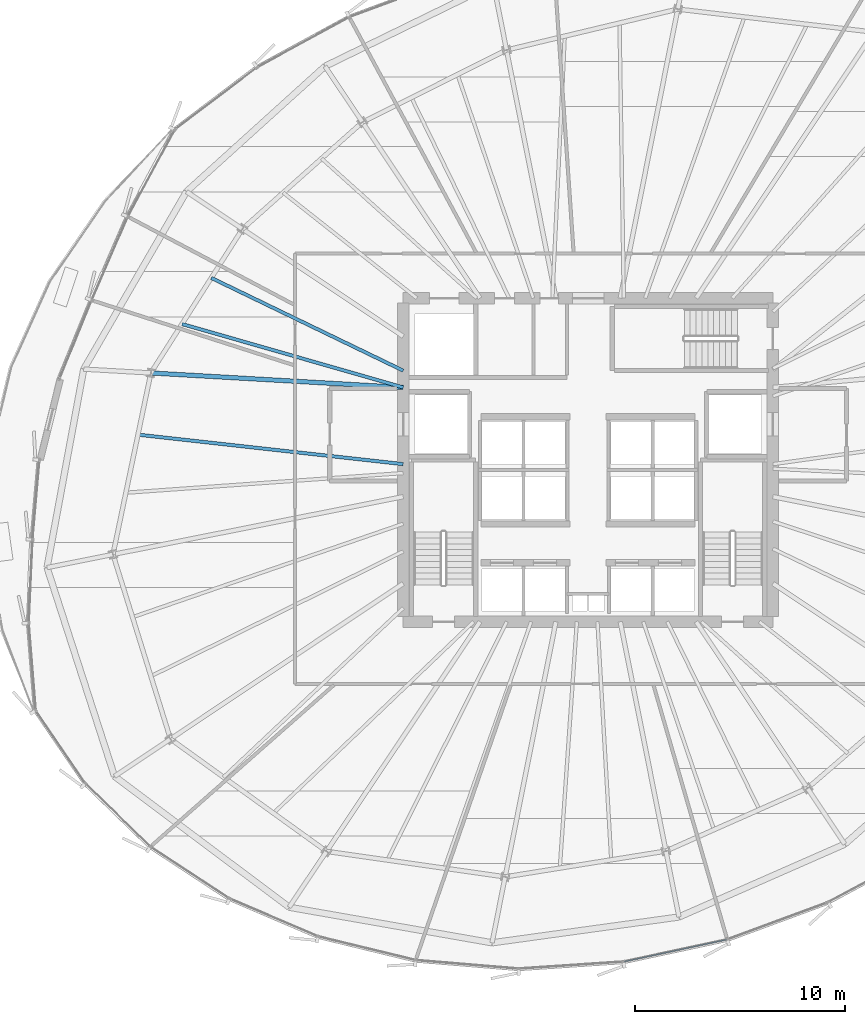
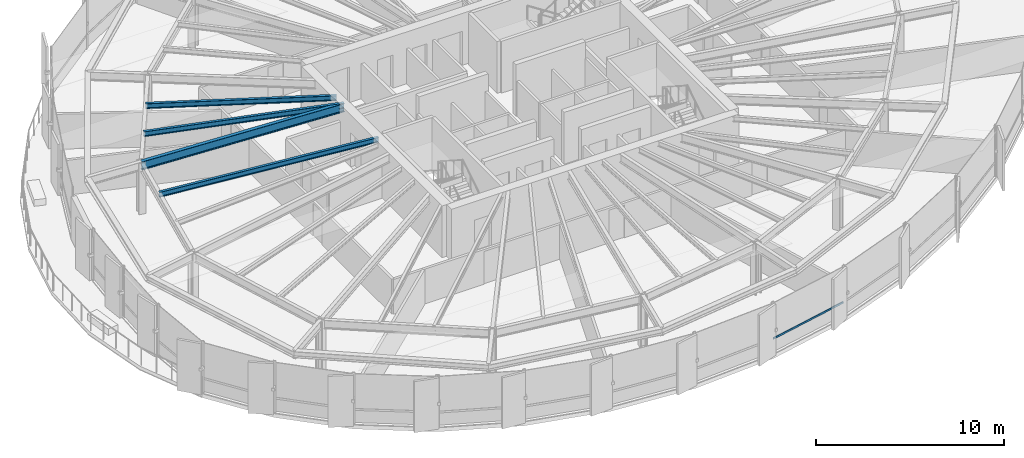
# One storey, part 10 of 35: 4 beams, 1 member, 1 element without a shape of its own.
"""IFC4 building model written with IfcOpenShell, lengths in metres."""

from ifc_helpers import new_model, si_unit, direction, frame, origin, origin_2d, place, context, subcontext, project, spatial, hollow_rectangle, i_section, extrude, source, transform, mapped, material, layer, layer_set, material_profile, profile_set, type_object, element, aggregate, save


model = new_model("IFC4")

# Units and contexts
model_context = context("Model", 3, precision=1e-05, world=origin(), true_north=direction((0.0, 1.0)))
body_context = subcontext(model_context, "Body", "Model", "MODEL_VIEW")
ifc_project = project(units=[si_unit("LENGTHUNIT", "METRE"), si_unit("AREAUNIT", "SQUARE_METRE"), si_unit("VOLUMEUNIT", "CUBIC_METRE"), si_unit("PLANEANGLEUNIT", "RADIAN"), si_unit("MASSUNIT", "GRAM", prefix="KILO"), si_unit("THERMODYNAMICTEMPERATUREUNIT", "KELVIN")], contexts=[model_context])

# Site, building, storey
site_placement = place(None, origin())
site = spatial("IfcSite", under=ifc_project, at=site_placement, CompositionType="ELEMENT")
building_placement = place(site_placement, origin())
building = spatial("IfcBuilding", under=site, at=building_placement, Name="Kethvar Cultural Tower", CompositionType="ELEMENT")
storey_placement = place(building_placement, frame((0.0, 0.0, 100.0)))
storey = spatial("IfcBuildingStorey", under=building, at=storey_placement, Name="L24", CompositionType="ELEMENT", Elevation=100.0)

# Beams
ifc_material_1 = material(Name="Steel S355J2", Category="steel")
ifc_material_profile_1 = material_profile(ifc_material_1, i_section(OverallWidth=0.2099609375, OverallDepth=0.550048828125, WebThickness=0.010986328125, FlangeThickness=0.01708984375, FilletRadius=0.02392578125, at=origin_2d()), Name="Steel S355J2 — IPE550")
ifc_profile_set_1 = profile_set([ifc_material_profile_1], Name="Steel S355J2 — IPE550")
beam_type_1 = type_object("IfcBeamType", Name="BM-IPE550", PredefinedType="BEAM", material=ifc_profile_set_1)
shared_shape_1 = source(origin(), body_context, "Body", "SweptSolid", [
    extrude(i_section(OverallWidth=0.2099609375, OverallDepth=0.550048828125, WebThickness=0.010986328125, FlangeThickness=0.01708984375, FilletRadius=0.02392578125, at=origin_2d()), origin(), (0.0, 0.0, 1.0), 12.03125),
])
beam_1_placement = place(storey_placement, frame((38.0, 31.25, 3.072998046875), z_axis=(-0.998355544741, 0.057325441856, 0.0), x_axis=(-0.057325441856, -0.998355544741, 0.0)))
element("IfcBeam", 1, at=beam_1_placement, inside=storey, type_object=beam_type_1, Name="L24 Primary Radial Beam RB-08", PredefinedType="BEAM", context=body_context, shape_type="MappedRepresentation", body=[
    mapped(shared_shape_1, transform((0.0, 0.0, 0.0), scale=1.0)),
])
ifc_material_profile_2 = material_profile(ifc_material_1, i_section(OverallWidth=0.159912109375, OverallDepth=0.330078125, WebThickness=0.007568359375, FlangeThickness=0.011474609375, FilletRadius=0.01806640625, at=origin_2d()), Name="Steel S355J2 — IPE330")
ifc_profile_set_2 = profile_set([ifc_material_profile_2], Name="Steel S355J2 — IPE330")
beam_type_2 = type_object("IfcBeamType", Name="BM-J330", PredefinedType="JOIST", material=ifc_profile_set_2)
shared_shape_2 = source(origin(), body_context, "Body", "SweptSolid", [
    extrude(i_section(OverallWidth=0.159912109375, OverallDepth=0.330078125, WebThickness=0.007568359375, FlangeThickness=0.011474609375, FilletRadius=0.01806640625, at=origin_2d()), origin(), (0.0, 0.0, 1.0), 10.1455078125),
])
beam_2_placement = place(storey_placement, frame((38.0, 32.05078125, 3.18310546875), z_axis=(-0.90045122575, 0.434956997927, 0.0), x_axis=(-0.434956997927, -0.90045122575, 0.0)))
element("IfcBeam", 2, at=beam_2_placement, inside=storey, type_object=beam_type_2, Name="L24 Composite Floor Joist J-07A", PredefinedType="JOIST", context=body_context, shape_type="MappedRepresentation", body=[
    mapped(shared_shape_2, transform((0.0, 0.0, 0.0), scale=1.0)),
])
shared_shape_3 = source(origin(), body_context, "Body", "SweptSolid", [
    extrude(i_section(OverallWidth=0.159912109375, OverallDepth=0.330078125, WebThickness=0.007568359375, FlangeThickness=0.011474609375, FilletRadius=0.01806640625, at=origin_2d()), origin(), (0.0, 0.0, 1.0), 10.95458984375),
])
beam_3_placement = place(storey_placement, frame((38.0, 31.25, 3.18310546875), z_axis=(-0.96124170623, 0.275707058676, 0.0), x_axis=(-0.275707058676, -0.96124170623, 0.0)))
element("IfcBeam", 3, at=beam_3_placement, inside=storey, type_object=beam_type_2, Name="L24 Composite Floor Joist J-07B", PredefinedType="JOIST", context=body_context, shape_type="MappedRepresentation", body=[
    mapped(shared_shape_3, transform((0.0, 0.0, 0.0), scale=1.0)),
])
shared_shape_4 = source(origin(), body_context, "Body", "SweptSolid", [
    extrude(i_section(OverallWidth=0.159912109375, OverallDepth=0.330078125, WebThickness=0.007568359375, FlangeThickness=0.011474609375, FilletRadius=0.01806640625, at=origin_2d()), origin(), (0.0, 0.0, 1.0), 12.7021484375),
])
beam_4_placement = place(storey_placement, frame((38.0, 27.60009765625, 3.18310546875), z_axis=(-0.993884906591, 0.110420978309, 0.0), x_axis=(-0.110420978309, -0.993884906591, 0.0)))
element("IfcBeam", 4, at=beam_4_placement, inside=storey, type_object=beam_type_2, Name="L24 Composite Floor Joist J-08A", PredefinedType="JOIST", context=body_context, shape_type="MappedRepresentation", body=[
    mapped(shared_shape_4, transform((0.0, 0.0, 0.0), scale=1.0)),
])

# Curtain wall, member
ifc_material_2 = material(Name="Aluminium 6063-T6", Category="aluminium")
ifc_layer = layer(ifc_material_2, 0.179931640625, Name="Aluminium 6063-T6", Category="aluminium")
ifc_layer_set = layer_set([ifc_layer], Name="Aluminium 6063-T6 (180 mm)")
curtain_wall_type = type_object("IfcCurtainWallType", Name="CW-SYS-03-Z2", PredefinedType="NOTDEFINED", material=ifc_layer_set)
curtain_wall_placement = place(storey_placement, origin())
curtain_wall = element("IfcCurtainWall", 5, at=curtain_wall_placement, inside=storey, type_object=curtain_wall_type, Name="L24 Curtain Wall Run 05", PredefinedType="NOTDEFINED")
ifc_material_profile_3 = material_profile(ifc_material_2, hollow_rectangle(XDim=0.054931640625, YDim=0.1201171875, WallThickness=0.00390625, at=origin_2d()), Name="Aluminium 6063-T6 — RHS120x55x4")
ifc_profile_set_3 = profile_set([ifc_material_profile_3], Name="Aluminium 6063-T6 — RHS120x55x4")
member_type = type_object("IfcMemberType", Name="CW-SYS-03-Z2-TRN", PredefinedType="USERDEFINED", material=ifc_profile_set_3)
shared_shape_5 = source(origin(), body_context, "Body", "SweptSolid", [
    extrude(hollow_rectangle(XDim=0.054931640625, YDim=0.1201171875, WallThickness=0.00390625, at=origin_2d()), origin(), (0.0, 0.0, 1.0), 4.986083984375),
])
member_placement = place(storey_placement, frame((48.52197265625, 3.92236328125, 0.949951171875), z_axis=(0.977793097713, 0.209572560379, 0.0), x_axis=(-0.209572560379, 0.977793097713, 0.0)))
member = element("IfcMember", 6, at=member_placement, type_object=member_type, Name="CW-L24-R05 Transom 5", ObjectType="TRANSOM", PredefinedType="USERDEFINED", context=body_context, shape_type="MappedRepresentation", body=[
    mapped(shared_shape_5, transform((0.0, 0.0, 0.0), scale=1.0)),
])
aggregate(curtain_wall, [member])

save(model, "model.ifc")
